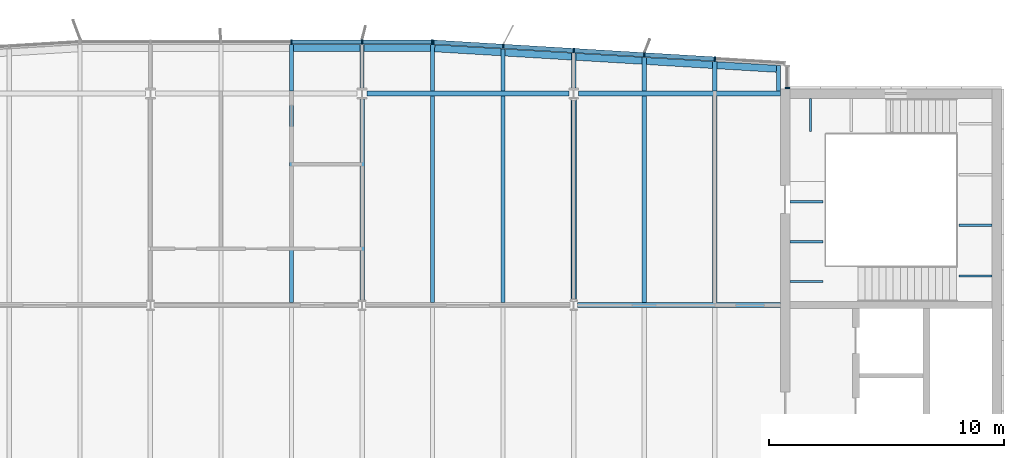
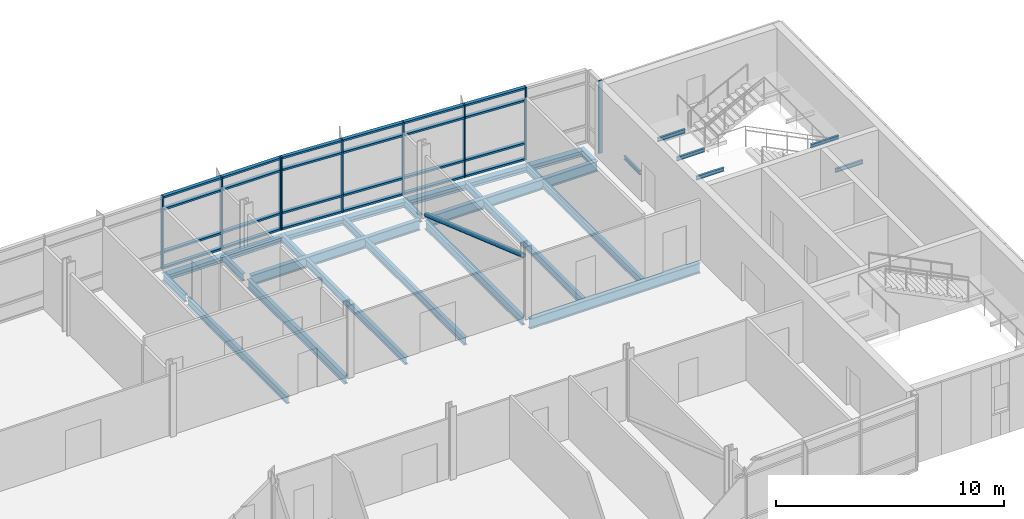
# One storey, part 7 of 21: 34 members, 31 beams, 3 elements without a shape of their own.
"""IFC4 building model written with IfcOpenShell, lengths in metres."""

from ifc_helpers import new_model, si_unit, direction, frame, origin, origin_2d, place, context, subcontext, project, spatial, rectangle, hollow_circle, i_section, extrude, material, material_profile, profile_set, type_object, element, aggregate, save


model = new_model("IFC4")

# Units and contexts
model_context = context("Model", 3, precision=1e-05, world=origin(), true_north=direction((0.0, 1.0)))
body_context = subcontext(model_context, "Body", "Model", "MODEL_VIEW")
ifc_project = project(units=[si_unit("LENGTHUNIT", "METRE"), si_unit("AREAUNIT", "SQUARE_METRE"), si_unit("VOLUMEUNIT", "CUBIC_METRE"), si_unit("PLANEANGLEUNIT", "RADIAN"), si_unit("MASSUNIT", "GRAM", prefix="KILO")], contexts=[model_context])

# Site, building, storey
site_placement = place(None, origin())
site = spatial("IfcSite", under=ifc_project, at=site_placement, CompositionType="ELEMENT")
building_placement = place(site_placement, origin())
building = spatial("IfcBuilding", under=site, at=building_placement, Name="Azimuth Sports and Learning Centre", CompositionType="ELEMENT")
storey_placement = place(building_placement, frame((0.0, 0.0, 48.0)))
storey = spatial("IfcBuildingStorey", under=building, at=storey_placement, Name="L10", CompositionType="ELEMENT", Elevation=48.0)

# Beams
ifc_material_1 = material(Name="Steel S355", Category="steel")
ifc_material_profile_1 = material_profile(ifc_material_1, i_section(OverallWidth=0.10009765625, OverallDepth=0.199951171875, WebThickness=0.005615234375, FlangeThickness=0.008544921875, FilletRadius=0.011962890625, at=origin_2d()), Name="IPE 200")
ifc_profile_set_1 = profile_set([ifc_material_profile_1], Name="Steel S355")
beam_type_1 = type_object("IfcBeamType", Name="Beam IPE 200", PredefinedType="BEAM", material=ifc_profile_set_1)
for number, where, z_axis, x_axis, name in (
    (1, (109.0732421875, 116.800048828125, -0.300048828125), (0.0, -1.0, 0.0), (1.0, 0.0, 0.0), "Landing bracket E2 L10 633"),
    (2, (116.800048828125, 109.23876953125, 1.35009765625), (-1.0, 0.0, 0.0), (0.0, -1.0, 0.0), "Landing bracket E2 L10 636"),
    (3, (116.800048828125, 111.396240234375, 1.35009765625), (-1.0, 0.0, 0.0), (0.0, -1.0, 0.0), "Landing bracket E2 L10 637"),
    (4, (108.199951171875, 109.00830078125, 3.60009765625), (1.0, 0.0, 0.0), (0.0, 1.0, 0.0), "Landing bracket E2 L10 640"),
    (5, (108.199951171875, 110.705078125, 3.60009765625), (1.0, 0.0, 0.0), (0.0, 1.0, 0.0), "Landing bracket E2 L10 641"),
    (6, (108.199951171875, 112.401611328125, 3.60009765625), (1.0, 0.0, 0.0), (0.0, 1.0, 0.0), "Landing bracket E2 L10 642"),
):
    element("IfcBeam", number, at=place(storey_placement, frame(where, z_axis=z_axis, x_axis=x_axis)), inside=storey, type_object=beam_type_1, Name=name, PredefinedType="BEAM", context=body_context, shape_type="SweptSolid", body=[
        extrude(i_section(OverallWidth=0.10009765625, OverallDepth=0.199951171875, WebThickness=0.005615234375, FlangeThickness=0.008544921875, FilletRadius=0.011962890625, at=origin_2d()), origin(), (0.0, 0.0, 1.0), 1.41015625),
    ])
ifc_material_2 = material(Name="Steel S355", Category="steel")
ifc_material_profile_2 = material_profile(ifc_material_2, i_section(OverallWidth=0.18994140625, OverallDepth=0.449951171875, WebThickness=0.009521484375, FlangeThickness=0.0146484375, FilletRadius=0.02099609375, at=origin_2d()), Name="IPE 450")
ifc_profile_set_2 = profile_set([ifc_material_profile_2], Name="Steel S355")
beam_type_2 = type_object("IfcBeamType", Name="Beam IPE 450", PredefinedType="BEAM", material=ifc_profile_set_2)
for number, where, z_axis, x_axis, name in (
    (7, (90.0, 108.216064453125, -0.35498046875), (0.0, 1.0, 0.0), (-1.0, 0.0, 0.0), "Tower tie"),
    (8, (99.0, 108.216064453125, -0.35498046875), (0.0, 1.0, 0.0), (-1.0, 0.0, 0.0), "Tower tie"),
):
    element("IfcBeam", number, at=place(storey_placement, frame(where, z_axis=z_axis, x_axis=x_axis)), inside=storey, type_object=beam_type_2, Name=name, PredefinedType="BEAM", context=body_context, shape_type="SweptSolid", body=[
        extrude(i_section(OverallWidth=0.18994140625, OverallDepth=0.449951171875, WebThickness=0.009521484375, FlangeThickness=0.0146484375, FilletRadius=0.02099609375, at=origin_2d()), origin(), (0.0, 0.0, 1.0), 8.556396484375),
    ])
ifc_material_3 = material(Name="Steel S355", Category="steel")
ifc_material_profile_3 = material_profile(ifc_material_3, i_section(OverallWidth=0.2099609375, OverallDepth=0.550048828125, WebThickness=0.010986328125, FlangeThickness=0.01708984375, FilletRadius=0.02392578125, at=origin_2d()), Name="IPE 550")
ifc_profile_set_3 = profile_set([ifc_material_profile_3], Name="Steel S355")
beam_type_3 = type_object("IfcBeamType", Name="Beam IPE 550", PredefinedType="BEAM", material=ifc_profile_set_3)
beam_1_placement = place(storey_placement, frame((99.153564453125, 108.0, -0.405029296875), z_axis=(1.0, 0.0, 0.0), x_axis=(0.0, 1.0, 0.0)))
element("IfcBeam", 9, at=beam_1_placement, inside=storey, type_object=beam_type_3, Name="Tower girder L10", PredefinedType="BEAM", context=body_context, shape_type="SweptSolid", body=[
    extrude(i_section(OverallWidth=0.2099609375, OverallDepth=0.550048828125, WebThickness=0.010986328125, FlangeThickness=0.01708984375, FilletRadius=0.02392578125, at=origin_2d()), origin(), (0.0, 0.0, 1.0), 8.646484375),
])
beam_2_placement = place(storey_placement, frame((90.208984375, 117.0, -0.405029296875), z_axis=(1.0, 0.0, 0.0), x_axis=(0.0, 1.0, 0.0)))
element("IfcBeam", 10, at=beam_2_placement, inside=storey, type_object=beam_type_3, Name="Tower girder L10", PredefinedType="BEAM", context=body_context, shape_type="SweptSolid", body=[
    extrude(i_section(OverallWidth=0.2099609375, OverallDepth=0.550048828125, WebThickness=0.010986328125, FlangeThickness=0.01708984375, FilletRadius=0.02392578125, at=origin_2d()), origin(), (0.0, 0.0, 1.0), 8.58203125),
])
beam_3_placement = place(storey_placement, frame((99.208984375, 117.0, -0.405029296875), z_axis=(1.0, 0.0, 0.0), x_axis=(0.0, 1.0, 0.0)))
element("IfcBeam", 11, at=beam_3_placement, inside=storey, type_object=beam_type_3, Name="Tower girder L10", PredefinedType="BEAM", context=body_context, shape_type="SweptSolid", body=[
    extrude(i_section(OverallWidth=0.2099609375, OverallDepth=0.550048828125, WebThickness=0.010986328125, FlangeThickness=0.01708984375, FilletRadius=0.02392578125, at=origin_2d()), origin(), (0.0, 0.0, 1.0), 8.591064453125),
])

# Member
ifc_material_4 = material(Name="Steel S355", Category="steel")
ifc_material_profile_4 = material_profile(ifc_material_4, hollow_circle(Radius=0.122314453125, WallThickness=0.012451171875, at=origin_2d()), Name="CHS 244.5x12.5")
ifc_profile_set_4 = profile_set([ifc_material_profile_4], Name="Steel S355")
member_type_1 = type_object("IfcMemberType", Name="Brace CHS 244.5x12.5", PredefinedType="BRACE", material=ifc_profile_set_4)
member_1_placement = place(storey_placement, frame((99.0, 108.236328125, 3.150634765625), z_axis=(0.0, 0.94383599609, -0.330414304299), x_axis=(-1.0, 0.0, 0.0)))
element("IfcMember", 12, at=member_1_placement, inside=storey, type_object=member_type_1, Name="Tower brace 12 L10", PredefinedType="BRACE", context=body_context, shape_type="SweptSolid", body=[
    extrude(hollow_circle(Radius=0.122314453125, WallThickness=0.012451171875, at=origin_2d()), origin(), (0.0, 0.0, 1.0), 9.022705078125),
])

# Beams
ifc_material_5 = material(Name="Steel S355", Category="steel")
ifc_material_profile_5 = material_profile(ifc_material_5, i_section(OverallWidth=0.179931640625, OverallDepth=0.39990234375, WebThickness=0.008544921875, FlangeThickness=0.013427734375, FilletRadius=0.02099609375, at=origin_2d()), Name="IPE 400")
ifc_profile_set_5 = profile_set([ifc_material_profile_5], Name="Steel S355")
beam_type_4 = type_object("IfcBeamType", Name="Cantilever stub IPE 400", PredefinedType="JOIST", material=ifc_profile_set_5)
beam_4_placement = place(storey_placement, frame((87.0, 117.10498046875, -0.330078125), z_axis=(0.0, 1.0, 0.0), x_axis=(-1.0, 0.0, 0.0)))
element("IfcBeam", 13, at=beam_4_placement, inside=storey, type_object=beam_type_4, Name="Tower cantilever stub", PredefinedType="JOIST", context=body_context, shape_type="SweptSolid", body=[
    extrude(i_section(OverallWidth=0.179931640625, OverallDepth=0.39990234375, WebThickness=0.008544921875, FlangeThickness=0.013427734375, FilletRadius=0.02099609375, at=origin_2d()), origin(), (0.0, 0.0, 1.0), 1.97509765625),
])
beam_5_placement = place(storey_placement, frame((90.0, 117.2275390625, -0.330078125), z_axis=(0.0, 1.0, 0.0), x_axis=(-1.0, 0.0, 0.0)))
element("IfcBeam", 14, at=beam_5_placement, inside=storey, type_object=beam_type_4, Name="Tower cantilever stub", PredefinedType="JOIST", context=body_context, shape_type="SweptSolid", body=[
    extrude(i_section(OverallWidth=0.179931640625, OverallDepth=0.39990234375, WebThickness=0.008544921875, FlangeThickness=0.013427734375, FilletRadius=0.02099609375, at=origin_2d()), origin(), (0.0, 0.0, 1.0), 1.8525390625),
])
beam_6_placement = place(storey_placement, frame((93.0, 117.10498046875, -0.330078125), z_axis=(0.0, 1.0, 0.0), x_axis=(-1.0, 0.0, 0.0)))
element("IfcBeam", 15, at=beam_6_placement, inside=storey, type_object=beam_type_4, Name="Tower cantilever stub", PredefinedType="JOIST", context=body_context, shape_type="SweptSolid", body=[
    extrude(i_section(OverallWidth=0.179931640625, OverallDepth=0.39990234375, WebThickness=0.008544921875, FlangeThickness=0.013427734375, FilletRadius=0.02099609375, at=origin_2d()), origin(), (0.0, 0.0, 1.0), 1.97509765625),
])
beam_7_placement = place(storey_placement, frame((96.0, 117.10498046875, -0.330078125), z_axis=(0.0, 1.0, 0.0), x_axis=(-1.0, 0.0, 0.0)))
element("IfcBeam", 16, at=beam_7_placement, inside=storey, type_object=beam_type_4, Name="Tower cantilever stub", PredefinedType="JOIST", context=body_context, shape_type="SweptSolid", body=[
    extrude(i_section(OverallWidth=0.179931640625, OverallDepth=0.39990234375, WebThickness=0.008544921875, FlangeThickness=0.013427734375, FilletRadius=0.02099609375, at=origin_2d()), origin(), (0.0, 0.0, 1.0), 1.794921875),
])
beam_8_placement = place(storey_placement, frame((99.0, 117.2275390625, -0.330078125), z_axis=(0.0, 1.0, 0.0), x_axis=(-1.0, 0.0, 0.0)))
element("IfcBeam", 17, at=beam_8_placement, inside=storey, type_object=beam_type_4, Name="Tower cantilever stub", PredefinedType="JOIST", context=body_context, shape_type="SweptSolid", body=[
    extrude(i_section(OverallWidth=0.179931640625, OverallDepth=0.39990234375, WebThickness=0.008544921875, FlangeThickness=0.013427734375, FilletRadius=0.02099609375, at=origin_2d()), origin(), (0.0, 0.0, 1.0), 1.492431640625),
])
beam_9_placement = place(storey_placement, frame((102.0, 117.10498046875, -0.330078125), z_axis=(0.0, 1.0, 0.0), x_axis=(-1.0, 0.0, 0.0)))
element("IfcBeam", 18, at=beam_9_placement, inside=storey, type_object=beam_type_4, Name="Tower cantilever stub", PredefinedType="JOIST", context=body_context, shape_type="SweptSolid", body=[
    extrude(i_section(OverallWidth=0.179931640625, OverallDepth=0.39990234375, WebThickness=0.008544921875, FlangeThickness=0.013427734375, FilletRadius=0.02099609375, at=origin_2d()), origin(), (0.0, 0.0, 1.0), 1.43505859375),
])
beam_10_placement = place(storey_placement, frame((105.0, 117.10498046875, -0.330078125), z_axis=(0.0, 1.0, 0.0), x_axis=(-1.0, 0.0, 0.0)))
element("IfcBeam", 19, at=beam_10_placement, inside=storey, type_object=beam_type_4, Name="Tower cantilever stub", PredefinedType="JOIST", context=body_context, shape_type="SweptSolid", body=[
    extrude(i_section(OverallWidth=0.179931640625, OverallDepth=0.39990234375, WebThickness=0.008544921875, FlangeThickness=0.013427734375, FilletRadius=0.02099609375, at=origin_2d()), origin(), (0.0, 0.0, 1.0), 1.255126953125),
])
beam_11_placement = place(storey_placement, frame((107.7099609375, 117.10498046875, -0.330078125), z_axis=(0.0, 1.0, 0.0), x_axis=(-1.0, 0.0, 0.0)))
element("IfcBeam", 20, at=beam_11_placement, inside=storey, type_object=beam_type_4, Name="Tower cantilever stub", PredefinedType="JOIST", context=body_context, shape_type="SweptSolid", body=[
    extrude(i_section(OverallWidth=0.179931640625, OverallDepth=0.39990234375, WebThickness=0.008544921875, FlangeThickness=0.013427734375, FilletRadius=0.02099609375, at=origin_2d()), origin(), (0.0, 0.0, 1.0), 1.092529296875),
])
ifc_material_6 = material(Name="Steel S355", Category="steel")
ifc_material_profile_6 = material_profile(ifc_material_6, i_section(OverallWidth=0.300048828125, OverallDepth=0.2900390625, WebThickness=0.008544921875, FlangeThickness=0.013916015625, FilletRadius=0.027099609375, at=origin_2d()), Name="HEA 300")
ifc_profile_set_6 = profile_set([ifc_material_profile_6], Name="Steel S355")
beam_type_5 = type_object("IfcBeamType", Name="Edge beam HEA 300", PredefinedType="SPANDREL", material=ifc_profile_set_6)
for number, where, z_axis, x_axis, name in (
    (21, (87.090087890625, 118.929931640625, -0.27490234375), (1.0, 0.0, 0.0), (0.0, 1.0, 0.0), "Tower edge beam"),
    (22, (90.090087890625, 118.929931640625, -0.27490234375), (1.0, 0.0, 0.0), (0.0, 1.0, 0.0), "Tower edge beam"),
):
    element("IfcBeam", number, at=place(storey_placement, frame(where, z_axis=z_axis, x_axis=x_axis)), inside=storey, type_object=beam_type_5, Name=name, PredefinedType="SPANDREL", context=body_context, shape_type="SweptSolid", body=[
        extrude(i_section(OverallWidth=0.300048828125, OverallDepth=0.2900390625, WebThickness=0.008544921875, FlangeThickness=0.013916015625, FilletRadius=0.027099609375, at=origin_2d()), origin(), (0.0, 0.0, 1.0), 2.81982421875),
    ])
for number, where, z_axis, x_axis, name in (
    (23, (93.090087890625, 118.924560546875, -0.27490234375), (0.998204845466, -0.059892290728, 0.0), (0.059892290728, 0.998204845466, 0.0), "Tower edge beam"),
    (24, (96.090087890625, 118.74462890625, -0.27490234375), (0.998204845466, -0.059892290728, 0.0), (0.059892290728, 0.998204845466, 0.0), "Tower edge beam"),
    (25, (99.090087890625, 118.564697265625, -0.27490234375), (0.998204845466, -0.059892290728, 0.0), (0.059892290728, 0.998204845466, 0.0), "Tower edge beam"),
    (26, (102.090087890625, 118.384521484375, -0.27490234375), (0.998204845466, -0.059892290728, 0.0), (0.059892290728, 0.998204845466, 0.0), "Tower edge beam"),
):
    element("IfcBeam", number, at=place(storey_placement, frame(where, z_axis=z_axis, x_axis=x_axis)), inside=storey, type_object=beam_type_5, Name=name, PredefinedType="SPANDREL", context=body_context, shape_type="SweptSolid", body=[
        extrude(i_section(OverallWidth=0.300048828125, OverallDepth=0.2900390625, WebThickness=0.008544921875, FlangeThickness=0.013916015625, FilletRadius=0.027099609375, at=origin_2d()), origin(), (0.0, 0.0, 1.0), 2.824951171875),
    ])
beam_12_placement = place(storey_placement, frame((105.090087890625, 118.20458984375, -0.27490234375), z_axis=(0.998203578329, -0.059913405937, 0.0), x_axis=(0.059913405937, 0.998203578329, 0.0)))
element("IfcBeam", 27, at=beam_12_placement, inside=storey, type_object=beam_type_5, Name="Tower edge beam", PredefinedType="SPANDREL", context=body_context, shape_type="SweptSolid", body=[
    extrude(i_section(OverallWidth=0.300048828125, OverallDepth=0.2900390625, WebThickness=0.008544921875, FlangeThickness=0.013916015625, FilletRadius=0.027099609375, at=origin_2d()), origin(), (0.0, 0.0, 1.0), 2.53466796875),
])
ifc_material_7 = material(Name="Steel S355", Category="steel")
ifc_material_profile_7 = material_profile(ifc_material_7, i_section(OverallWidth=0.179931640625, OverallDepth=0.39990234375, WebThickness=0.008544921875, FlangeThickness=0.013427734375, FilletRadius=0.02099609375, at=origin_2d()), Name="IPE 400")
ifc_profile_set_7 = profile_set([ifc_material_profile_7], Name="Steel S355")
beam_type_6 = type_object("IfcBeamType", Name="Joist IPE 400", PredefinedType="JOIST", material=ifc_profile_set_7)
for number, where, z_axis, x_axis, name in (
    (28, (87.0, 108.10498046875, -0.330078125), (0.0, 1.0, 0.0), (-1.0, 0.0, 0.0), "Tower joist"),
    (29, (93.0, 108.10498046875, -0.330078125), (0.0, 1.0, 0.0), (-1.0, 0.0, 0.0), "Tower joist"),
    (30, (96.0, 108.10498046875, -0.330078125), (0.0, 1.0, 0.0), (-1.0, 0.0, 0.0), "Tower joist"),
    (31, (102.0, 108.10498046875, -0.330078125), (0.0, 1.0, 0.0), (-1.0, 0.0, 0.0), "Tower joist"),
    (32, (105.0, 108.10498046875, -0.330078125), (0.0, 1.0, 0.0), (-1.0, 0.0, 0.0), "Tower joist"),
):
    element("IfcBeam", number, at=place(storey_placement, frame(where, z_axis=z_axis, x_axis=x_axis)), inside=storey, type_object=beam_type_6, Name=name, PredefinedType="JOIST", context=body_context, shape_type="SweptSolid", body=[
        extrude(i_section(OverallWidth=0.179931640625, OverallDepth=0.39990234375, WebThickness=0.008544921875, FlangeThickness=0.013427734375, FilletRadius=0.02099609375, at=origin_2d()), origin(), (0.0, 0.0, 1.0), 8.7900390625),
    ])

# Curtain wall, member
ifc_material_8 = material(Name="Aluminium and glass", Category="aluminium")
curtain_wall_type_1 = type_object("IfcCurtainWallType", Name="Curtain wall tower return 180", PredefinedType="NOTDEFINED", material=ifc_material_8)
curtain_wall_1_placement = place(storey_placement, origin())
curtain_wall_1 = element("IfcCurtainWall", 33, at=curtain_wall_1_placement, inside=storey, type_object=curtain_wall_type_1, Name="Curtain wall CW10-006", PredefinedType="NOTDEFINED")
ifc_material_9 = material(Name="Aluminium", Category="aluminium")
ifc_material_profile_8 = material_profile(ifc_material_9, rectangle(XDim=0.179931640625, YDim=0.06005859375, at=origin_2d()), Name="Mullion 60x180")
ifc_profile_set_8 = profile_set([ifc_material_profile_8], Name="Aluminium")
member_type_2 = type_object("IfcMemberType", Name="Mullion 60x180", PredefinedType="MULLION", material=ifc_profile_set_8)
member_2_placement = place(storey_placement, frame((108.090087890625, 117.22998046875, 0.0), z_axis=(0.0, 0.0, 1.0), x_axis=(-1.0, 0.0, 0.0)))
member_2 = element("IfcMember", 34, at=member_2_placement, type_object=member_type_2, Name="CW10-006 mullion 1", PredefinedType="MULLION", context=body_context, shape_type="SweptSolid", body=[
    extrude(rectangle(XDim=0.179931640625, YDim=0.06005859375, at=origin_2d()), origin(), (0.0, 0.0, 1.0), 3.89990234375),
])
aggregate(curtain_wall_1, [member_2])

# Curtain wall, members
ifc_material_10 = material(Name="Aluminium and glass", Category="aluminium")
curtain_wall_type_2 = type_object("IfcCurtainWallType", Name="Curtain wall tower north 180", PredefinedType="NOTDEFINED", material=ifc_material_10)
curtain_wall_2_placement = place(storey_placement, origin())
curtain_wall_2 = element("IfcCurtainWall", 35, at=curtain_wall_2_placement, inside=storey, type_object=curtain_wall_type_2, Name="Curtain wall CW10-007", PredefinedType="NOTDEFINED")
member_3_placement = place(storey_placement, frame((105.00537109375, 118.4697265625, 0.0), z_axis=(0.0, 0.0, 1.0), x_axis=(-0.059891991812, -0.998204863401, 0.0)))
member_3 = element("IfcMember", 36, at=member_3_placement, type_object=member_type_2, Name="CW10-007 mullion 2", PredefinedType="MULLION", context=body_context, shape_type="SweptSolid", body=[
    extrude(rectangle(XDim=0.179931640625, YDim=0.06005859375, at=origin_2d()), origin(), (0.0, 0.0, 1.0), 3.89990234375),
])
member_4_placement = place(storey_placement, frame((102.00537109375, 118.64990234375, 0.0), z_axis=(0.0, 0.0, 1.0), x_axis=(-0.059891991812, -0.998204863401, 0.0)))
member_4 = element("IfcMember", 37, at=member_4_placement, type_object=member_type_2, Name="CW10-007 mullion 3", PredefinedType="MULLION", context=body_context, shape_type="SweptSolid", body=[
    extrude(rectangle(XDim=0.179931640625, YDim=0.06005859375, at=origin_2d()), origin(), (0.0, 0.0, 1.0), 3.89990234375),
])
member_5_placement = place(storey_placement, frame((99.00537109375, 118.829833984375, 0.0), z_axis=(0.0, 0.0, 1.0), x_axis=(-0.059891991812, -0.998204863401, 0.0)))
member_5 = element("IfcMember", 38, at=member_5_placement, type_object=member_type_2, Name="CW10-007 mullion 4", PredefinedType="MULLION", context=body_context, shape_type="SweptSolid", body=[
    extrude(rectangle(XDim=0.179931640625, YDim=0.06005859375, at=origin_2d()), origin(), (0.0, 0.0, 1.0), 3.89990234375),
])
member_6_placement = place(storey_placement, frame((96.00537109375, 119.009765625, 0.0), z_axis=(0.0, 0.0, 1.0), x_axis=(-0.059891991812, -0.998204863401, 0.0)))
member_6 = element("IfcMember", 39, at=member_6_placement, type_object=member_type_2, Name="CW10-007 mullion 5", PredefinedType="MULLION", context=body_context, shape_type="SweptSolid", body=[
    extrude(rectangle(XDim=0.179931640625, YDim=0.06005859375, at=origin_2d()), origin(), (0.0, 0.0, 1.0), 3.89990234375),
])
member_7_placement = place(storey_placement, frame((93.035400390625, 119.18798828125, 0.0), z_axis=(0.0, 0.0, 1.0), x_axis=(-0.059891991812, -0.998204863401, 0.0)))
member_7 = element("IfcMember", 40, at=member_7_placement, type_object=member_type_2, Name="CW10-007 mullion 6", PredefinedType="MULLION", context=body_context, shape_type="SweptSolid", body=[
    extrude(rectangle(XDim=0.179931640625, YDim=0.06005859375, at=origin_2d()), origin(), (0.0, 0.0, 1.0), 3.89990234375),
])

curtain_wall_3_placement = place(storey_placement, origin())
curtain_wall_3 = element("IfcCurtainWall", 41, at=curtain_wall_3_placement, inside=storey, type_object=curtain_wall_type_2, Name="Curtain wall CW10-008", PredefinedType="NOTDEFINED")
member_8_placement = place(storey_placement, frame((92.975341796875, 119.18994140625, 0.0), z_axis=(0.0, 0.0, 1.0), x_axis=(0.0, -1.0, 0.0)))
member_8 = element("IfcMember", 42, at=member_8_placement, type_object=member_type_2, Name="CW10-008 mullion 1", PredefinedType="MULLION", context=body_context, shape_type="SweptSolid", body=[
    extrude(rectangle(XDim=0.179931640625, YDim=0.06005859375, at=origin_2d()), origin(), (0.0, 0.0, 1.0), 3.89990234375),
])
member_9_placement = place(storey_placement, frame((90.0, 119.18994140625, 0.0), z_axis=(0.0, 0.0, 1.0), x_axis=(0.0, -1.0, 0.0)))
member_9 = element("IfcMember", 43, at=member_9_placement, type_object=member_type_2, Name="CW10-008 mullion 2", PredefinedType="MULLION", context=body_context, shape_type="SweptSolid", body=[
    extrude(rectangle(XDim=0.179931640625, YDim=0.06005859375, at=origin_2d()), origin(), (0.0, 0.0, 1.0), 3.89990234375),
])
member_10_placement = place(storey_placement, frame((87.0, 119.18994140625, 0.0), z_axis=(0.0, 0.0, 1.0), x_axis=(0.0, -1.0, 0.0)))
member_10 = element("IfcMember", 44, at=member_10_placement, type_object=member_type_2, Name="CW10-008 mullion 3", PredefinedType="MULLION", context=body_context, shape_type="SweptSolid", body=[
    extrude(rectangle(XDim=0.179931640625, YDim=0.06005859375, at=origin_2d()), origin(), (0.0, 0.0, 1.0), 3.89990234375),
])

# Member
ifc_material_11 = material(Name="Aluminium", Category="aluminium")
ifc_material_profile_9 = material_profile(ifc_material_11, rectangle(XDim=0.179931640625, YDim=0.10009765625, at=origin_2d()), Name="Transom 100x180")
ifc_profile_set_9 = profile_set([ifc_material_profile_9], Name="Aluminium")
member_type_3 = type_object("IfcMemberType", Name="Transom 100x180", PredefinedType="USERDEFINED", material=ifc_profile_set_9)
member_11_placement = place(storey_placement, frame((104.975341796875, 118.4716796875, 0.050048828125), z_axis=(-0.998207421552, 0.059849340505, 0.0), x_axis=(-0.059849340505, -0.998207421552, 0.0)))
member_11 = element("IfcMember", 45, at=member_11_placement, type_object=member_type_3, Name="CW10-007 transom 2.1", ObjectType="TRANSOM", PredefinedType="USERDEFINED", context=body_context, shape_type="SweptSolid", body=[
    extrude(rectangle(XDim=0.179931640625, YDim=0.10009765625, at=origin_2d()), origin(), (0.0, 0.0, 1.0), 2.9453125),
])

member_12_placement = place(storey_placement, frame((104.975341796875, 118.4716796875, 0.89990234375), z_axis=(-0.998207421552, 0.059849340505, 0.0), x_axis=(-0.059849340505, -0.998207421552, 0.0)))
member_12 = element("IfcMember", 46, at=member_12_placement, type_object=member_type_3, Name="CW10-007 transom 2.2", ObjectType="TRANSOM", PredefinedType="USERDEFINED", context=body_context, shape_type="SweptSolid", body=[
    extrude(rectangle(XDim=0.179931640625, YDim=0.10009765625, at=origin_2d()), origin(), (0.0, 0.0, 1.0), 2.9453125),
])

member_13_placement = place(storey_placement, frame((104.975341796875, 118.4716796875, 3.199951171875), z_axis=(-0.998207421552, 0.059849340505, 0.0), x_axis=(-0.059849340505, -0.998207421552, 0.0)))
member_13 = element("IfcMember", 47, at=member_13_placement, type_object=member_type_3, Name="CW10-007 transom 2.3", ObjectType="TRANSOM", PredefinedType="USERDEFINED", context=body_context, shape_type="SweptSolid", body=[
    extrude(rectangle(XDim=0.179931640625, YDim=0.10009765625, at=origin_2d()), origin(), (0.0, 0.0, 1.0), 2.9453125),
])

member_14_placement = place(storey_placement, frame((104.975341796875, 118.4716796875, 3.85009765625), z_axis=(-0.998207421552, 0.059849340505, 0.0), x_axis=(-0.059849340505, -0.998207421552, 0.0)))
member_14 = element("IfcMember", 48, at=member_14_placement, type_object=member_type_3, Name="CW10-007 transom 2.4", ObjectType="TRANSOM", PredefinedType="USERDEFINED", context=body_context, shape_type="SweptSolid", body=[
    extrude(rectangle(XDim=0.179931640625, YDim=0.10009765625, at=origin_2d()), origin(), (0.0, 0.0, 1.0), 2.9453125),
])

member_15_placement = place(storey_placement, frame((101.975341796875, 118.651611328125, 0.050048828125), z_axis=(-0.998202465912, 0.059931936792, 0.0), x_axis=(-0.059931936792, -0.998202465912, 0.0)))
member_15 = element("IfcMember", 49, at=member_15_placement, type_object=member_type_3, Name="CW10-007 transom 3.1", ObjectType="TRANSOM", PredefinedType="USERDEFINED", context=body_context, shape_type="SweptSolid", body=[
    extrude(rectangle(XDim=0.179931640625, YDim=0.10009765625, at=origin_2d()), origin(), (0.0, 0.0, 1.0), 2.9453125),
])

member_16_placement = place(storey_placement, frame((101.975341796875, 118.651611328125, 0.89990234375), z_axis=(-0.998202465912, 0.059931936792, 0.0), x_axis=(-0.059931936792, -0.998202465912, 0.0)))
member_16 = element("IfcMember", 50, at=member_16_placement, type_object=member_type_3, Name="CW10-007 transom 3.2", ObjectType="TRANSOM", PredefinedType="USERDEFINED", context=body_context, shape_type="SweptSolid", body=[
    extrude(rectangle(XDim=0.179931640625, YDim=0.10009765625, at=origin_2d()), origin(), (0.0, 0.0, 1.0), 2.9453125),
])

member_17_placement = place(storey_placement, frame((101.975341796875, 118.651611328125, 3.199951171875), z_axis=(-0.998202465912, 0.059931936792, 0.0), x_axis=(-0.059931936792, -0.998202465912, 0.0)))
member_17 = element("IfcMember", 51, at=member_17_placement, type_object=member_type_3, Name="CW10-007 transom 3.3", ObjectType="TRANSOM", PredefinedType="USERDEFINED", context=body_context, shape_type="SweptSolid", body=[
    extrude(rectangle(XDim=0.179931640625, YDim=0.10009765625, at=origin_2d()), origin(), (0.0, 0.0, 1.0), 2.9453125),
])

member_18_placement = place(storey_placement, frame((101.975341796875, 118.651611328125, 3.85009765625), z_axis=(-0.998202465912, 0.059931936792, 0.0), x_axis=(-0.059931936792, -0.998202465912, 0.0)))
member_18 = element("IfcMember", 52, at=member_18_placement, type_object=member_type_3, Name="CW10-007 transom 3.4", ObjectType="TRANSOM", PredefinedType="USERDEFINED", context=body_context, shape_type="SweptSolid", body=[
    extrude(rectangle(XDim=0.179931640625, YDim=0.10009765625, at=origin_2d()), origin(), (0.0, 0.0, 1.0), 2.9453125),
])

member_19_placement = place(storey_placement, frame((98.975341796875, 118.83154296875, 0.050048828125), z_axis=(-0.998202465912, 0.059931936792, 0.0), x_axis=(-0.059931936792, -0.998202465912, 0.0)))
member_19 = element("IfcMember", 53, at=member_19_placement, type_object=member_type_3, Name="CW10-007 transom 4.1", ObjectType="TRANSOM", PredefinedType="USERDEFINED", context=body_context, shape_type="SweptSolid", body=[
    extrude(rectangle(XDim=0.179931640625, YDim=0.10009765625, at=origin_2d()), origin(), (0.0, 0.0, 1.0), 2.9453125),
])

member_20_placement = place(storey_placement, frame((98.975341796875, 118.83154296875, 0.89990234375), z_axis=(-0.998202465912, 0.059931936792, 0.0), x_axis=(-0.059931936792, -0.998202465912, 0.0)))
member_20 = element("IfcMember", 54, at=member_20_placement, type_object=member_type_3, Name="CW10-007 transom 4.2", ObjectType="TRANSOM", PredefinedType="USERDEFINED", context=body_context, shape_type="SweptSolid", body=[
    extrude(rectangle(XDim=0.179931640625, YDim=0.10009765625, at=origin_2d()), origin(), (0.0, 0.0, 1.0), 2.9453125),
])

member_21_placement = place(storey_placement, frame((98.975341796875, 118.83154296875, 3.199951171875), z_axis=(-0.998202465912, 0.059931936792, 0.0), x_axis=(-0.059931936792, -0.998202465912, 0.0)))
member_21 = element("IfcMember", 55, at=member_21_placement, type_object=member_type_3, Name="CW10-007 transom 4.3", ObjectType="TRANSOM", PredefinedType="USERDEFINED", context=body_context, shape_type="SweptSolid", body=[
    extrude(rectangle(XDim=0.179931640625, YDim=0.10009765625, at=origin_2d()), origin(), (0.0, 0.0, 1.0), 2.9453125),
])

member_22_placement = place(storey_placement, frame((98.975341796875, 118.83154296875, 3.85009765625), z_axis=(-0.998202465912, 0.059931936792, 0.0), x_axis=(-0.059931936792, -0.998202465912, 0.0)))
member_22 = element("IfcMember", 56, at=member_22_placement, type_object=member_type_3, Name="CW10-007 transom 4.4", ObjectType="TRANSOM", PredefinedType="USERDEFINED", context=body_context, shape_type="SweptSolid", body=[
    extrude(rectangle(XDim=0.179931640625, YDim=0.10009765625, at=origin_2d()), origin(), (0.0, 0.0, 1.0), 2.9453125),
])

member_23_placement = place(storey_placement, frame((95.975341796875, 119.01171875, 0.050048828125), z_axis=(-0.998205846627, 0.059875602377, 0.0), x_axis=(-0.059875602377, -0.998205846627, 0.0)))
member_23 = element("IfcMember", 57, at=member_23_placement, type_object=member_type_3, Name="CW10-007 transom 5.1", ObjectType="TRANSOM", PredefinedType="USERDEFINED", context=body_context, shape_type="SweptSolid", body=[
    extrude(rectangle(XDim=0.179931640625, YDim=0.10009765625, at=origin_2d()), origin(), (0.0, 0.0, 1.0), 2.915283203125),
])

member_24_placement = place(storey_placement, frame((95.975341796875, 119.01171875, 0.89990234375), z_axis=(-0.998205846627, 0.059875602377, 0.0), x_axis=(-0.059875602377, -0.998205846627, 0.0)))
member_24 = element("IfcMember", 58, at=member_24_placement, type_object=member_type_3, Name="CW10-007 transom 5.2", ObjectType="TRANSOM", PredefinedType="USERDEFINED", context=body_context, shape_type="SweptSolid", body=[
    extrude(rectangle(XDim=0.179931640625, YDim=0.10009765625, at=origin_2d()), origin(), (0.0, 0.0, 1.0), 2.915283203125),
])

member_25_placement = place(storey_placement, frame((95.975341796875, 119.01171875, 3.199951171875), z_axis=(-0.998205846627, 0.059875602377, 0.0), x_axis=(-0.059875602377, -0.998205846627, 0.0)))
member_25 = element("IfcMember", 59, at=member_25_placement, type_object=member_type_3, Name="CW10-007 transom 5.3", ObjectType="TRANSOM", PredefinedType="USERDEFINED", context=body_context, shape_type="SweptSolid", body=[
    extrude(rectangle(XDim=0.179931640625, YDim=0.10009765625, at=origin_2d()), origin(), (0.0, 0.0, 1.0), 2.915283203125),
])

member_26_placement = place(storey_placement, frame((95.975341796875, 119.01171875, 3.85009765625), z_axis=(-0.998205846627, 0.059875602377, 0.0), x_axis=(-0.059875602377, -0.998205846627, 0.0)))
member_26 = element("IfcMember", 60, at=member_26_placement, type_object=member_type_3, Name="CW10-007 transom 5.4", ObjectType="TRANSOM", PredefinedType="USERDEFINED", context=body_context, shape_type="SweptSolid", body=[
    extrude(rectangle(XDim=0.179931640625, YDim=0.10009765625, at=origin_2d()), origin(), (0.0, 0.0, 1.0), 2.915283203125),
])

aggregate(curtain_wall_2, [member_3, member_4, member_5, member_6, member_7, member_11, member_12, member_13, member_14, member_15, member_16, member_17, member_18, member_19, member_20, member_21, member_22, member_23, member_24, member_25, member_26])

member_27_placement = place(storey_placement, frame((92.9453125, 119.18994140625, 0.050048828125), z_axis=(-1.0, 0.0, 0.0), x_axis=(0.0, -1.0, 0.0)))
member_27 = element("IfcMember", 61, at=member_27_placement, type_object=member_type_3, Name="CW10-008 transom 1.1", ObjectType="TRANSOM", PredefinedType="USERDEFINED", context=body_context, shape_type="SweptSolid", body=[
    extrude(rectangle(XDim=0.179931640625, YDim=0.10009765625, at=origin_2d()), origin(), (0.0, 0.0, 1.0), 2.915283203125),
])

member_28_placement = place(storey_placement, frame((92.9453125, 119.18994140625, 0.89990234375), z_axis=(-1.0, 0.0, 0.0), x_axis=(0.0, -1.0, 0.0)))
member_28 = element("IfcMember", 62, at=member_28_placement, type_object=member_type_3, Name="CW10-008 transom 1.2", ObjectType="TRANSOM", PredefinedType="USERDEFINED", context=body_context, shape_type="SweptSolid", body=[
    extrude(rectangle(XDim=0.179931640625, YDim=0.10009765625, at=origin_2d()), origin(), (0.0, 0.0, 1.0), 2.915283203125),
])

member_29_placement = place(storey_placement, frame((92.9453125, 119.18994140625, 3.199951171875), z_axis=(-1.0, 0.0, 0.0), x_axis=(0.0, -1.0, 0.0)))
member_29 = element("IfcMember", 63, at=member_29_placement, type_object=member_type_3, Name="CW10-008 transom 1.3", ObjectType="TRANSOM", PredefinedType="USERDEFINED", context=body_context, shape_type="SweptSolid", body=[
    extrude(rectangle(XDim=0.179931640625, YDim=0.10009765625, at=origin_2d()), origin(), (0.0, 0.0, 1.0), 2.915283203125),
])

member_30_placement = place(storey_placement, frame((92.9453125, 119.18994140625, 3.85009765625), z_axis=(-1.0, 0.0, 0.0), x_axis=(0.0, -1.0, 0.0)))
member_30 = element("IfcMember", 64, at=member_30_placement, type_object=member_type_3, Name="CW10-008 transom 1.4", ObjectType="TRANSOM", PredefinedType="USERDEFINED", context=body_context, shape_type="SweptSolid", body=[
    extrude(rectangle(XDim=0.179931640625, YDim=0.10009765625, at=origin_2d()), origin(), (0.0, 0.0, 1.0), 2.915283203125),
])

member_31_placement = place(storey_placement, frame((89.969970703125, 119.18994140625, 0.050048828125), z_axis=(-1.0, 0.0, 0.0), x_axis=(0.0, -1.0, 0.0)))
member_31 = element("IfcMember", 65, at=member_31_placement, type_object=member_type_3, Name="CW10-008 transom 2.1", ObjectType="TRANSOM", PredefinedType="USERDEFINED", context=body_context, shape_type="SweptSolid", body=[
    extrude(rectangle(XDim=0.179931640625, YDim=0.10009765625, at=origin_2d()), origin(), (0.0, 0.0, 1.0), 2.93994140625),
])

member_32_placement = place(storey_placement, frame((89.969970703125, 119.18994140625, 0.89990234375), z_axis=(-1.0, 0.0, 0.0), x_axis=(0.0, -1.0, 0.0)))
member_32 = element("IfcMember", 66, at=member_32_placement, type_object=member_type_3, Name="CW10-008 transom 2.2", ObjectType="TRANSOM", PredefinedType="USERDEFINED", context=body_context, shape_type="SweptSolid", body=[
    extrude(rectangle(XDim=0.179931640625, YDim=0.10009765625, at=origin_2d()), origin(), (0.0, 0.0, 1.0), 2.93994140625),
])

member_33_placement = place(storey_placement, frame((89.969970703125, 119.18994140625, 3.199951171875), z_axis=(-1.0, 0.0, 0.0), x_axis=(0.0, -1.0, 0.0)))
member_33 = element("IfcMember", 67, at=member_33_placement, type_object=member_type_3, Name="CW10-008 transom 2.3", ObjectType="TRANSOM", PredefinedType="USERDEFINED", context=body_context, shape_type="SweptSolid", body=[
    extrude(rectangle(XDim=0.179931640625, YDim=0.10009765625, at=origin_2d()), origin(), (0.0, 0.0, 1.0), 2.93994140625),
])

member_34_placement = place(storey_placement, frame((89.969970703125, 119.18994140625, 3.85009765625), z_axis=(-1.0, 0.0, 0.0), x_axis=(0.0, -1.0, 0.0)))
member_34 = element("IfcMember", 68, at=member_34_placement, type_object=member_type_3, Name="CW10-008 transom 2.4", ObjectType="TRANSOM", PredefinedType="USERDEFINED", context=body_context, shape_type="SweptSolid", body=[
    extrude(rectangle(XDim=0.179931640625, YDim=0.10009765625, at=origin_2d()), origin(), (0.0, 0.0, 1.0), 2.93994140625),
])

aggregate(curtain_wall_3, [member_8, member_9, member_10, member_27, member_28, member_29, member_30, member_31, member_32, member_33, member_34])

save(model, "model.ifc")
